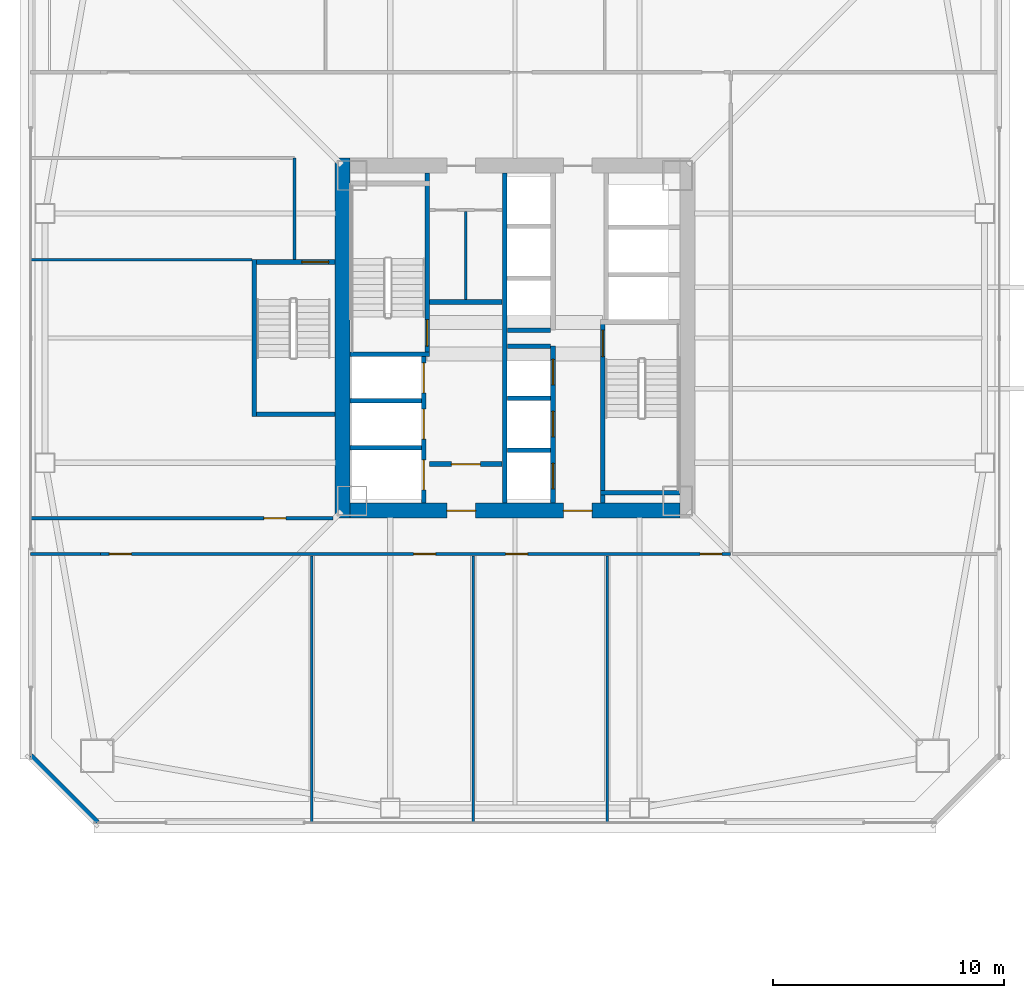
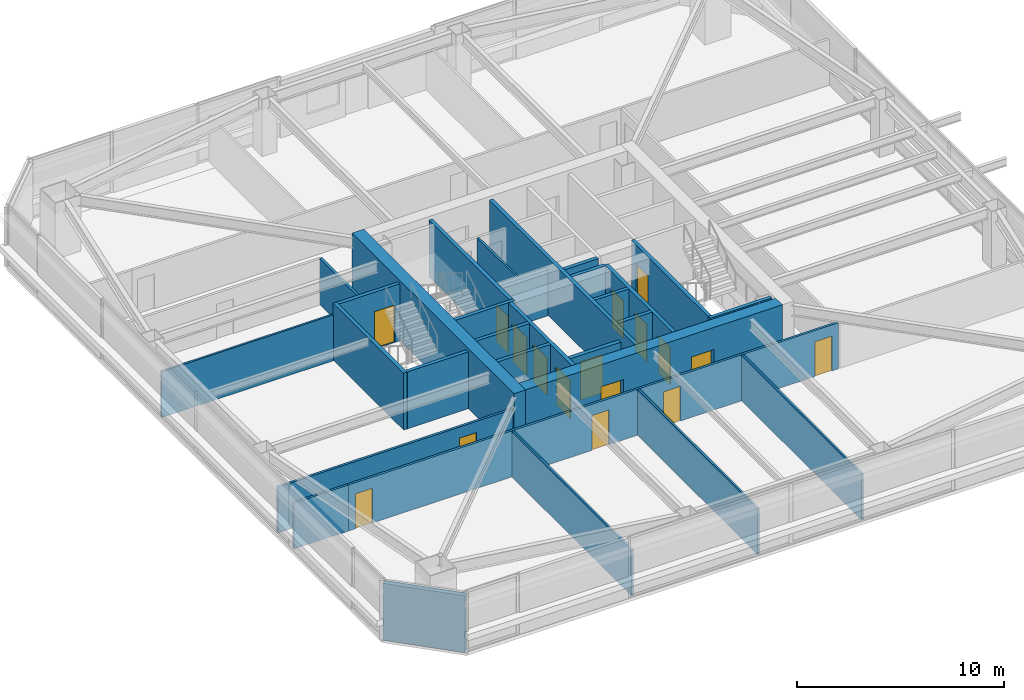
# One storey, part 36 of 47: 30 walls, 17 doors, 17 openings.
"""IFC4 building model written with IfcOpenShell, lengths in metres."""

import ifcopenshell
import ifcopenshell.guid

model = None  # the IFC model being written
_history = None  # IfcOwnerHistory: only IFC2X3 demands one
_inside = {}  # id of a spatial element -> (the spatial element, [elements in it])
_under = {}  # id of a project, library or spatial element -> (it, [spatial elements below it])
_declared = {}  # id of a project -> (the project, [libraries it declares])
_typed = {}  # id of a type object -> (the type object, [elements of that type])
_made_of = {}  # id of a material, layer set ... -> (it, [elements and type objects made of it])


def new_model(schema):
    """Start an empty IFC model of exactly this schema.

    Asked for "IFC4X3", IfcOpenShell would pick the latest addendum, in which some entities
    have other attributes; the version numbers below select the first issue.
    IFC2X3 requires an IfcOwnerHistory on every rooted entity: one is made here for all.
    """
    global model, _history
    if schema == "IFC4X3":
        model = ifcopenshell.file(schema_version=(4, 3, 0, 0))
    else:
        model = ifcopenshell.file(schema=schema)
    _inside.clear()
    _under.clear()
    _declared.clear()
    _typed.clear()
    _made_of.clear()
    _history = None
    if model.schema == "IFC2X3":
        org = make("IfcOrganization", Name="unknown")
        user = make(
            "IfcPersonAndOrganization",
            ThePerson=make("IfcPerson", FamilyName="unknown"),
            TheOrganization=org,
        )
        app = make(
            "IfcApplication",
            ApplicationDeveloper=org,
            Version="unknown",
            ApplicationFullName="unknown",
            ApplicationIdentifier="unknown",
        )
        _history = make(
            "IfcOwnerHistory",
            OwningUser=user,
            OwningApplication=app,
            ChangeAction="ADDED",
            CreationDate=0,
        )
    return model


def make(cls, **values):
    """One entity of the class cls with the attributes given. An attribute that is None is left unset."""
    return model.create_entity(
        cls, **{name: value for name, value in values.items() if value is not None}
    )


def rooted(cls, **values):
    """An entity with a GlobalId (a new one), such as an element, a storey or a relation."""
    return make(cls, GlobalId=ifcopenshell.guid.new(), OwnerHistory=_history, **values)


def si_unit(unit_type, name, prefix=None):
    """IfcSIUnit, for example si_unit("LENGTHUNIT", "METRE", prefix="MILLI")."""
    return make("IfcSIUnit", UnitType=unit_type, Prefix=prefix, Name=name)


def assignment(units):
    """IfcUnitAssignment: the units of a project."""
    return None if units is None else make("IfcUnitAssignment", Units=units)


def point(xyz):
    """IfcCartesianPoint."""
    return None if xyz is None else make("IfcCartesianPoint", Coordinates=xyz)


def direction(xyz):
    """IfcDirection."""
    return None if xyz is None else make("IfcDirection", DirectionRatios=xyz)


def frame(location, z_axis=None, x_axis=None):
    """IfcAxis2Placement3D, a coordinate frame: its origin and axes. An axis left out is left unset."""
    return make(
        "IfcAxis2Placement3D",
        Location=point(location),
        Axis=direction(z_axis),
        RefDirection=direction(x_axis),
    )


def frame_2d(location, x_axis=None):
    """IfcAxis2Placement2D, a coordinate frame in the plane: its origin and x axis."""
    return make(
        "IfcAxis2Placement2D", Location=point(location), RefDirection=direction(x_axis)
    )


def origin():
    """The frame at (0, 0, 0) with its axes left unset."""
    return frame((0.0, 0.0, 0.0))


def place(relative_to, where):
    """IfcLocalPlacement: puts the frame where relative to a parent placement (None: the world)."""
    return make(
        "IfcLocalPlacement", PlacementRelTo=relative_to, RelativePlacement=where
    )


def context(
    kind, dimensions, precision=None, world=None, true_north=None, identifier=None
):
    """IfcGeometricRepresentationContext, for example the 3D "Model" context."""
    return make(
        "IfcGeometricRepresentationContext",
        ContextIdentifier=identifier,
        ContextType=kind,
        CoordinateSpaceDimension=dimensions,
        Precision=precision,
        WorldCoordinateSystem=world,
        TrueNorth=true_north,
    )


def subcontext(parent, identifier, kind, view, scale=None):
    """IfcGeometricRepresentationSubContext, for example "Body" below "Model"."""
    return make(
        "IfcGeometricRepresentationSubContext",
        ContextIdentifier=identifier,
        ContextType=kind,
        ParentContext=parent,
        TargetScale=scale,
        TargetView=view,
    )


def project(units=None, contexts=None):
    """IfcProject with its units and contexts."""
    return rooted(
        "IfcProject",
        Name="project",
        RepresentationContexts=contexts,
        UnitsInContext=assignment(units),
    )


def spatial(cls, under=None, at=None, **own):
    """A site, building, storey or space (cls), placed at a placement, below another one or the project."""
    s = rooted(cls, ObjectPlacement=at, **own)
    if under is not None:
        _under.setdefault(under.id(), (under, []))[1].append(s)
    return s


def profile(cls, at=None, kind="AREA", **sizes):
    """A parametric profile (cls). Its sizes go by their IFC names, for example OverallWidth=200.0."""
    return make(cls, ProfileType=kind, Position=at, **sizes)


def rectangle(**sizes):
    """IfcRectangleProfileDef."""
    return profile("IfcRectangleProfileDef", **sizes)


def extrude(swept, where, along, depth):
    """IfcExtrudedAreaSolid: the profile swept, set in the frame where, extruded along a direction by depth."""
    return make(
        "IfcExtrudedAreaSolid",
        SweptArea=swept,
        Position=where,
        ExtrudedDirection=direction(along),
        Depth=depth,
    )


def shape(context_of_items, identifier, shape_type, items):
    """IfcShapeRepresentation: the items that make up one representation, for example the "Body"."""
    return make(
        "IfcShapeRepresentation",
        ContextOfItems=context_of_items,
        RepresentationIdentifier=identifier,
        RepresentationType=shape_type,
        Items=items,
    )


def material(Name=None, Category=None):
    """IfcMaterial."""
    return make("IfcMaterial", Name=Name, Category=Category)


def layer(
    of_material, thickness, ventilated=None, Name=None, Category=None, Priority=None
):
    """IfcMaterialLayer: one layer of a wall or slab, of a material (None: an air gap)."""
    return make(
        "IfcMaterialLayer",
        Material=of_material,
        LayerThickness=thickness,
        IsVentilated=ventilated,
        Name=Name,
        Category=Category,
        Priority=Priority,
    )


def layer_set(layers, Name=None):
    """IfcMaterialLayerSet."""
    return make("IfcMaterialLayerSet", MaterialLayers=layers, LayerSetName=Name)


def made_of(thing, what):
    """Note that an element or type object is made of a material, layer set ...; save() writes the relation."""
    if what is not None:
        _made_of.setdefault(what.id(), (what, []))[1].append(thing)
    return thing


def type_object(cls, material=None, **own):
    """A type object (cls), such as IfcWallType, which elements share."""
    return made_of(rooted(cls, **own), material)


def element(
    cls,
    number,
    at=None,
    inside=None,
    cuts=None,
    type_object=None,
    material=None,
    context=None,
    identifier="Body",
    shape_type=None,
    held_by="IfcProductDefinitionShape",
    body=None,
    shapes=None,
    **own,
):
    """One element of the class cls, such as IfcWall. Its Tag is "e" and its number.

    at: its placement. inside: the storey or other place that contains it. cuts: it is an
    opening in that element (IfcRelVoidsElement). A single representation is given by context,
    identifier, shape_type and body (its items); several are given by shapes. held_by: the class
    of the entity that holds the representations. save() writes the other relations.
    """
    e = rooted(cls, Tag="e%d" % number, ObjectPlacement=at, **own)
    if body is not None:
        shapes = [shape(context, identifier, shape_type, body)]
    if shapes is not None:
        e.Representation = make(held_by, Representations=shapes)
    if inside is not None:
        _inside.setdefault(inside.id(), (inside, []))[1].append(e)
    if cuts is not None:
        rooted(
            "IfcRelVoidsElement", RelatingBuildingElement=cuts, RelatedOpeningElement=e
        )
    if type_object is not None:
        _typed.setdefault(type_object.id(), (type_object, []))[1].append(e)
    return made_of(e, material)


def fill(opening, filler):
    """IfcRelFillsElement: the door or window that sits in an opening."""
    return rooted(
        "IfcRelFillsElement",
        RelatingOpeningElement=opening,
        RelatedBuildingElement=filler,
    )


def aggregate(whole, parts):
    """IfcRelAggregates: a whole, such as a stair, and the parts it consists of."""
    return rooted("IfcRelAggregates", RelatingObject=whole, RelatedObjects=parts)


def save(model, path):
    """Write the relations noted so far, then the file.

    IfcRelAggregates (storeys below a building ...), IfcRelContainedInSpatialStructure (elements
    in a storey), IfcRelDefinesByType, IfcRelAssociatesMaterial and IfcRelDeclares: one each for
    every whole, place, type object, material and project.
    """
    for whole, parts in _under.values():
        aggregate(whole, parts)
    for where, things in _inside.values():
        rooted(
            "IfcRelContainedInSpatialStructure",
            RelatedElements=things,
            RelatingStructure=where,
        )
    for kind, things in _typed.values():
        rooted("IfcRelDefinesByType", RelatedObjects=things, RelatingType=kind)
    for what, things in _made_of.values():
        rooted("IfcRelAssociatesMaterial", RelatedObjects=things, RelatingMaterial=what)
    for by, libraries in _declared.values():
        rooted("IfcRelDeclares", RelatingContext=by, RelatedDefinitions=libraries)
    model.write(path)


model = new_model("IFC4")

# Units and contexts
model_context = context("Model", 3, precision=1e-05, world=origin(), true_north=direction((0.0, 1.0)))
body_context = subcontext(model_context, "Body", "Model", "MODEL_VIEW")
ifc_project = project(units=[si_unit("LENGTHUNIT", "METRE"), si_unit("AREAUNIT", "SQUARE_METRE"), si_unit("VOLUMEUNIT", "CUBIC_METRE"), si_unit("PLANEANGLEUNIT", "RADIAN"), si_unit("MASSUNIT", "GRAM", prefix="KILO")], contexts=[model_context])

# Site, building, storey
site_placement = place(None, origin())
site = spatial("IfcSite", under=ifc_project, at=site_placement, CompositionType="ELEMENT")
building_placement = place(site_placement, origin())
building = spatial("IfcBuilding", under=site, at=building_placement, Name="Tashvorn Skyway Center", CompositionType="ELEMENT")
storey_placement = place(building_placement, frame((0.0, 0.0, 81.39990234375)))
storey = spatial("IfcBuildingStorey", under=building, at=storey_placement, Name="L21", CompositionType="ELEMENT", Elevation=81.39990234375)

# Wall
ifc_material_1 = material(Name="Concrete C60/75", Category="concrete")
ifc_layer_1 = layer(ifc_material_1, 0.64990234375)
ifc_layer_set_1 = layer_set([ifc_layer_1], Name="Concrete C60/75")
wall_type_1 = type_object("IfcWallType", Name="WALL-CORE-650", PredefinedType="SHEAR", material=ifc_layer_set_1)
wall_1_placement = place(storey_placement, frame((34.52490234375, 24.199951171875, 0.0), z_axis=(0.0, 0.0, 1.0), x_axis=(0.0, 1.0, 0.0)))
element("IfcWall", 1, at=wall_1_placement, inside=storey, type_object=wall_type_1, Name="Tower 1 L21 West Core Shear Wall", PredefinedType="SHEAR", context=body_context, shape_type="SweptSolid", body=[
    extrude(rectangle(XDim=15.60009765625, YDim=0.64990234375, at=frame_2d((7.800048828125, 0.0))), origin(), (0.0, 0.0, 1.0), 3.550048828125),
])

# Wall, openings, doors
wall_2_placement = place(storey_placement, frame((49.14990234375, 24.52490234375, 0.0), z_axis=(0.0, 0.0, 1.0), x_axis=(-1.0, 0.0, 0.0)))
wall_2 = element("IfcWall", 2, at=wall_2_placement, inside=storey, type_object=wall_type_1, Name="Tower 1 L21 South Core Shear Wall", PredefinedType="SHEAR", context=body_context, shape_type="SweptSolid", body=[
    extrude(rectangle(XDim=14.2998046875, YDim=0.64990234375, at=frame_2d((7.14990234375, 0.0))), origin(), (0.0, 0.0, 1.0), 3.550048828125),
])
opening_1_placement = place(wall_2_placement, frame((8.85009765625, 0.0, 0.0)))
opening_1 = element("IfcOpeningElement", 3, at=opening_1_placement, cuts=wall_2, Name="Opening D-FFL-1250", PredefinedType="OPENING", context=body_context, shape_type="SweptSolid", body=[
    extrude(rectangle(XDim=1.25, YDim=2.25, at=frame_2d((0.625, 1.125))), frame((0.0, 0.3349609375, 0.0), z_axis=(0.0, -1.0, 0.0), x_axis=(1.0, 0.0, 0.0)), (0.0, 0.0, 1.0), 0.669921875),
])
opening_2_placement = place(wall_2_placement, frame((3.800048828125, 0.0, 0.0)))
opening_2 = element("IfcOpeningElement", 4, at=opening_2_placement, cuts=wall_2, Name="Opening D-FFL-1250", PredefinedType="OPENING", context=body_context, shape_type="SweptSolid", body=[
    extrude(rectangle(XDim=1.25, YDim=2.25, at=frame_2d((0.625, 1.125))), frame((0.0, 0.3349609375, 0.0), z_axis=(0.0, -1.0, 0.0), x_axis=(1.0, 0.0, 0.0)), (0.0, 0.0, 1.0), 0.669921875),
])
ifc_material_2 = material(Name="Hollow galvanized steel fire door assembly", Category="steel")
door_type_1 = type_object("IfcDoorType", Name="DOOR-FFL-1250", OperationType="NOTDEFINED", PredefinedType="DOOR", material=ifc_material_2)
door_1_placement = place(opening_1_placement, origin())
door_1 = element("IfcDoor", 5, at=door_1_placement, inside=storey, type_object=door_type_1, Name="Tower 1 L21 Core South Firefighting Exit Door", OperationType="SINGLE_SWING_LEFT", OverallHeight=2.25, OverallWidth=1.25, PredefinedType="DOOR", context=body_context, shape_type="SweptSolid", body=[
    extrude(rectangle(XDim=1.25, YDim=2.25, at=frame_2d((0.625, 1.125))), frame((0.0, 0.02490234375, 0.0), z_axis=(0.0, -1.0, 0.0), x_axis=(1.0, 0.0, 0.0)), (0.0, 0.0, 1.0), 0.050048828125),
])
fill(opening_1, door_1)
door_2_placement = place(opening_2_placement, origin())
door_2 = element("IfcDoor", 6, at=door_2_placement, inside=storey, type_object=door_type_1, Name="Tower 1 L21 Core South Lift Lobby Door", OperationType="SINGLE_SWING_RIGHT", OverallHeight=2.25, OverallWidth=1.25, PredefinedType="DOOR", context=body_context, shape_type="SweptSolid", body=[
    extrude(rectangle(XDim=1.25, YDim=2.25, at=frame_2d((0.625, 1.125))), frame((0.0, 0.02490234375, 0.0), z_axis=(0.0, -1.0, 0.0), x_axis=(1.0, 0.0, 0.0)), (0.0, 0.0, 1.0), 0.050048828125),
])
fill(opening_2, door_2)

# Walls
ifc_material_3 = material(Name="Precast concrete C40/50", Category="concrete")
ifc_layer_2 = layer(ifc_material_3, 0.280029296875)
ifc_layer_set_2 = layer_set([ifc_layer_2], Name="Precast concrete C40/50")
wall_type_2 = type_object("IfcWallType", Name="WALL-EXT-280", PredefinedType="SOLIDWALL", material=ifc_layer_set_2)
wall_3_placement = place(storey_placement, frame((23.89990234375, 11.0, 0.0), z_axis=(0.0, 0.0, 1.0), x_axis=(-0.707106781187, 0.707106781187, 0.0)))
element("IfcWall", 7, at=wall_3_placement, inside=storey, type_object=wall_type_2, Name="Tower 1 L21 SW Precast Chamfer Wall", PredefinedType="SOLIDWALL", context=body_context, shape_type="SweptSolid", body=[
    extrude(rectangle(XDim=4.10107421875, YDim=0.280029296875, at=frame_2d((2.050537109375, 0.0))), origin(), (0.0, 0.0, 1.0), 3.35009765625),
])
ifc_material_4 = material(Name="Concrete C40/50", Category="concrete")
ifc_layer_3 = layer(ifc_material_4, 0.219970703125)
ifc_layer_set_3 = layer_set([ifc_layer_3], Name="Concrete C40/50")
wall_type_3 = type_object("IfcWallType", Name="WALL-FFL-220", PredefinedType="SOLIDWALL", material=ifc_layer_set_3)
wall_4_placement = place(storey_placement, frame((38.300048828125, 33.56005859375, 0.0), z_axis=(0.0, 0.0, 1.0), x_axis=(1.0, 0.0, 0.0)))
element("IfcWall", 8, at=wall_4_placement, inside=storey, type_object=wall_type_3, Name="Tower 1 L21 Firefighting Lobby North Wall", PredefinedType="SOLIDWALL", context=body_context, shape_type="SweptSolid", body=[
    extrude(rectangle(XDim=3.14990234375, YDim=0.219970703125, at=frame_2d((1.574951171875, 0.0))), origin(), (0.0, 0.0, 1.0), 2.703125),
])

# Wall, opening, door
wall_5_placement = place(storey_placement, frame((38.300048828125, 26.5400390625, 0.0), z_axis=(0.0, 0.0, 1.0), x_axis=(1.0, 0.0, 0.0)))
wall_5 = element("IfcWall", 9, at=wall_5_placement, inside=storey, type_object=wall_type_3, Name="Tower 1 L21 Firefighting Lobby South Wall", PredefinedType="SOLIDWALL", context=body_context, shape_type="SweptSolid", body=[
    extrude(rectangle(XDim=3.14990234375, YDim=0.219970703125, at=frame_2d((1.574951171875, 0.0))), origin(), (0.0, 0.0, 1.0), 2.703125),
])
opening_3_placement = place(wall_5_placement, frame((0.949951171875, 0.0, 0.0)))
opening_3 = element("IfcOpeningElement", 10, at=opening_3_placement, cuts=wall_5, Name="Opening D-FFL-1250", PredefinedType="OPENING", context=body_context, shape_type="SweptSolid", body=[
    extrude(rectangle(XDim=1.25, YDim=2.25, at=frame_2d((0.625, 1.125))), frame((0.0, 0.119873046875, 0.0), z_axis=(0.0, -1.0, 0.0), x_axis=(1.0, 0.0, 0.0)), (0.0, 0.0, 1.0), 0.239990234375),
])
door_3_placement = place(opening_3_placement, origin())
door_3 = element("IfcDoor", 11, at=door_3_placement, inside=storey, type_object=door_type_1, Name="Tower 1 L21 Firefighting Lobby Egress Door", OperationType="SINGLE_SWING_LEFT", OverallHeight=2.25, OverallWidth=1.25, PredefinedType="DOOR", context=body_context, shape_type="SweptSolid", body=[
    extrude(rectangle(XDim=1.25, YDim=2.25, at=frame_2d((0.625, 1.125))), frame((0.0, 0.02490234375, 0.0), z_axis=(0.0, -1.0, 0.0), x_axis=(1.0, 0.0, 0.0)), (0.0, 0.0, 1.0), 0.050048828125),
])
fill(opening_3, door_3)

# Walls
ifc_material_5 = material(Name="Gypsum board on cold-formed steel stud framing", Category="steel")
ifc_layer_4 = layer(ifc_material_5, 0.110107421875)
ifc_layer_set_4 = layer_set([ifc_layer_4], Name="Gypsum board on cold-formed steel stud framing")
wall_type_4 = type_object("IfcWallType", Name="WALL-PART-110", PredefinedType="PARTITIONING", material=ifc_layer_set_4)
for number, where, z_axis, x_axis, name in (
    (12, (33.199951171875, 11.02001953125, 0.0), (0.0, 0.0, 1.0), (0.0, 1.0, 0.0), "Tower 1 L21 South Suite Partition 1"),
    (13, (40.199951171875, 11.02001953125, 0.0), (0.0, 0.0, 1.0), (0.0, 1.0, 0.0), "Tower 1 L21 South Suite Partition 2"),
    (14, (46.0, 11.02001953125, 0.0), (0.0, 0.0, 1.0), (0.0, 1.0, 0.0), "Tower 1 L21 South Suite Partition 3"),
):
    element("IfcWall", number, at=place(storey_placement, frame(where, z_axis=z_axis, x_axis=x_axis)), inside=storey, type_object=wall_type_4, Name=name, PredefinedType="PARTITIONING", context=body_context, shape_type="SweptSolid", body=[
        extrude(rectangle(XDim=11.550048828125, YDim=0.110107421875, at=frame_2d((5.77490234375, 0.0))), origin(), (0.0, 0.0, 1.0), 2.703125),
    ])
wall_6_placement = place(storey_placement, frame((30.60009765625, 35.39990234375, 0.0), z_axis=(0.0, 0.0, 1.0), x_axis=(-1.0, 0.0, 0.0)))
element("IfcWall", 15, at=wall_6_placement, inside=storey, type_object=wall_type_4, Name="Tower 1 L21 West Suite Partition 1", PredefinedType="PARTITIONING", context=body_context, shape_type="SweptSolid", body=[
    extrude(rectangle(XDim=9.580078125, YDim=0.110107421875, at=frame_2d((4.7900390625, 0.0))), origin(), (0.0, 0.0, 1.0), 2.703125),
])
ifc_layer_5 = layer(ifc_material_5, 0.135009765625)
ifc_layer_set_5 = layer_set([ifc_layer_5], Name="Gypsum board on cold-formed steel stud framing")
wall_type_5 = type_object("IfcWallType", Name="WALL-PART-135", PredefinedType="PARTITIONING", material=ifc_layer_set_5)
wall_7_placement = place(storey_placement, frame((32.449951171875, 35.39990234375, 0.0), z_axis=(0.0, 0.0, 1.0), x_axis=(0.0, 1.0, 0.0)))
element("IfcWall", 16, at=wall_7_placement, inside=storey, type_object=wall_type_5, Name="Tower 1 L21 Stair 3 Access Corridor Wall", PredefinedType="PARTITIONING", context=body_context, shape_type="SweptSolid", body=[
    extrude(rectangle(XDim=4.400146484375, YDim=0.135009765625, at=frame_2d((2.2001953125, 0.0))), origin(), (0.0, 0.0, 1.0), 2.703125),
])

# Wall, openings, doors
wall_8_placement = place(storey_placement, frame((51.35009765625, 22.64990234375, 0.0), z_axis=(0.0, 0.0, 1.0), x_axis=(-1.0, 0.0, 0.0)))
wall_8 = element("IfcWall", 17, at=wall_8_placement, inside=storey, type_object=wall_type_5, Name="Tower 1 L21 South Suite Wall", PredefinedType="PARTITIONING", context=body_context, shape_type="SweptSolid", body=[
    extrude(rectangle(XDim=27.300048828125, YDim=0.135009765625, at=frame_2d((13.64990234375, 0.0))), origin(), (0.0, 0.0, 1.0), 2.703125),
])
opening_4_placement = place(wall_8_placement, frame((25.969970703125, 0.0, 0.0)))
opening_4 = element("IfcOpeningElement", 18, at=opening_4_placement, cuts=wall_8, Name="Opening D-INT-950", PredefinedType="OPENING", context=body_context, shape_type="SweptSolid", body=[
    extrude(rectangle(XDim=0.949951171875, YDim=2.050048828125, at=frame_2d((0.47509765625, 1.02490234375))), frame((0.0, 0.077392578125, 0.0), z_axis=(0.0, -1.0, 0.0), x_axis=(1.0, 0.0, 0.0)), (0.0, 0.0, 1.0), 0.155029296875),
])
opening_5_placement = place(wall_8_placement, frame((12.78955078125, 0.0, 0.0)))
opening_5 = element("IfcOpeningElement", 19, at=opening_5_placement, cuts=wall_8, Name="Opening D-INT-950", PredefinedType="OPENING", context=body_context, shape_type="SweptSolid", body=[
    extrude(rectangle(XDim=0.949951171875, YDim=2.050048828125, at=frame_2d((0.47509765625, 1.02490234375))), frame((0.0, 0.077392578125, 0.0), z_axis=(0.0, -1.0, 0.0), x_axis=(1.0, 0.0, 0.0)), (0.0, 0.0, 1.0), 0.155029296875),
])
opening_6_placement = place(wall_8_placement, frame((8.797607421875, 0.0, 0.0)))
opening_6 = element("IfcOpeningElement", 20, at=opening_6_placement, cuts=wall_8, Name="Opening D-INT-950", PredefinedType="OPENING", context=body_context, shape_type="SweptSolid", body=[
    extrude(rectangle(XDim=0.949951171875, YDim=2.050048828125, at=frame_2d((0.47509765625, 1.02490234375))), frame((0.0, 0.077392578125, 0.0), z_axis=(0.0, -1.0, 0.0), x_axis=(1.0, 0.0, 0.0)), (0.0, 0.0, 1.0), 0.155029296875),
])
opening_7_placement = place(wall_8_placement, frame((0.3798828125, 0.0, 0.0)))
opening_7 = element("IfcOpeningElement", 21, at=opening_7_placement, cuts=wall_8, Name="Opening D-INT-950", PredefinedType="OPENING", context=body_context, shape_type="SweptSolid", body=[
    extrude(rectangle(XDim=0.949951171875, YDim=2.050048828125, at=frame_2d((0.47509765625, 1.02490234375))), frame((0.0, 0.077392578125, 0.0), z_axis=(0.0, -1.0, 0.0), x_axis=(1.0, 0.0, 0.0)), (0.0, 0.0, 1.0), 0.155029296875),
])
ifc_material_6 = material(Name="Solid-core architectural oak veneer door")
door_type_2 = type_object("IfcDoorType", Name="DOOR-INT-950", OperationType="NOTDEFINED", PredefinedType="DOOR", material=ifc_material_6)
door_4_placement = place(opening_4_placement, origin())
door_4 = element("IfcDoor", 22, at=door_4_placement, inside=storey, type_object=door_type_2, Name="Tower 1 L21 Executive Suite Door", OperationType="SINGLE_SWING_LEFT", OverallHeight=2.050048828125, OverallWidth=0.949951171875, PredefinedType="DOOR", context=body_context, shape_type="SweptSolid", body=[
    extrude(rectangle(XDim=0.949951171875, YDim=2.050048828125, at=frame_2d((0.47509765625, 1.02490234375))), frame((0.0, 0.02490234375, 0.0), z_axis=(0.0, -1.0, 0.0), x_axis=(1.0, 0.0, 0.0)), (0.0, 0.0, 1.0), 0.050048828125),
])
fill(opening_4, door_4)
door_5_placement = place(opening_5_placement, origin())
door_5 = element("IfcDoor", 23, at=door_5_placement, inside=storey, type_object=door_type_2, Name="Tower 1 L21 Catering Pantry Door", OperationType="SINGLE_SWING_RIGHT", OverallHeight=2.050048828125, OverallWidth=0.949951171875, PredefinedType="DOOR", context=body_context, shape_type="SweptSolid", body=[
    extrude(rectangle(XDim=0.949951171875, YDim=2.050048828125, at=frame_2d((0.47509765625, 1.02490234375))), frame((0.0, 0.02490234375, 0.0), z_axis=(0.0, -1.0, 0.0), x_axis=(1.0, 0.0, 0.0)), (0.0, 0.0, 1.0), 0.050048828125),
])
fill(opening_5, door_5)
door_6_placement = place(opening_6_placement, origin())
door_6 = element("IfcDoor", 24, at=door_6_placement, inside=storey, type_object=door_type_2, Name="Tower 1 L21 Catering Pantry Door", OperationType="SINGLE_SWING_LEFT", OverallHeight=2.050048828125, OverallWidth=0.949951171875, PredefinedType="DOOR", context=body_context, shape_type="SweptSolid", body=[
    extrude(rectangle(XDim=0.949951171875, YDim=2.050048828125, at=frame_2d((0.47509765625, 1.02490234375))), frame((0.0, 0.02490234375, 0.0), z_axis=(0.0, -1.0, 0.0), x_axis=(1.0, 0.0, 0.0)), (0.0, 0.0, 1.0), 0.050048828125),
])
fill(opening_6, door_6)
door_7_placement = place(opening_7_placement, origin())
door_7 = element("IfcDoor", 25, at=door_7_placement, inside=storey, type_object=door_type_2, Name="Tower 1 L21 Security Control Room Door", OperationType="SINGLE_SWING_RIGHT", OverallHeight=2.050048828125, OverallWidth=0.949951171875, PredefinedType="DOOR", context=body_context, shape_type="SweptSolid", body=[
    extrude(rectangle(XDim=0.949951171875, YDim=2.050048828125, at=frame_2d((0.47509765625, 1.02490234375))), frame((0.0, 0.02490234375, 0.0), z_axis=(0.0, -1.0, 0.0), x_axis=(1.0, 0.0, 0.0)), (0.0, 0.0, 1.0), 0.050048828125),
])
fill(opening_7, door_7)

# Wall
wall_9_placement = place(storey_placement, frame((21.02001953125, 22.64990234375, 0.0), z_axis=(0.0, 0.0, 1.0), x_axis=(1.0, 0.0, 0.0)))
element("IfcWall", 26, at=wall_9_placement, inside=storey, type_object=wall_type_5, Name="Tower 1 L21 South-West Suite North Wall", PredefinedType="PARTITIONING", context=body_context, shape_type="SweptSolid", body=[
    extrude(rectangle(XDim=3.030029296875, YDim=0.135009765625, at=frame_2d((1.51513671875, 0.0))), origin(), (0.0, 0.0, 1.0), 2.703125),
])

# Wall, opening, door
wall_10_placement = place(storey_placement, frame((21.02001953125, 24.199951171875, 0.0), z_axis=(0.0, 0.0, 1.0), x_axis=(1.0, 0.0, 0.0)))
wall_10 = element("IfcWall", 27, at=wall_10_placement, inside=storey, type_object=wall_type_5, Name="Tower 1 L21 West Suite South Wall", PredefinedType="PARTITIONING", context=body_context, shape_type="SweptSolid", body=[
    extrude(rectangle(XDim=13.10009765625, YDim=0.135009765625, at=frame_2d((6.550048828125, 0.0))), origin(), (0.0, 0.0, 1.0), 2.703125),
])
opening_8_placement = place(wall_10_placement, frame((10.10498046875, 0.0, 0.0)))
opening_8 = element("IfcOpeningElement", 28, at=opening_8_placement, cuts=wall_10, Name="Opening D-INT-950", PredefinedType="OPENING", context=body_context, shape_type="SweptSolid", body=[
    extrude(rectangle(XDim=0.949951171875, YDim=2.050048828125, at=frame_2d((0.47509765625, 1.02490234375))), frame((0.0, 0.077392578125, 0.0), z_axis=(0.0, -1.0, 0.0), x_axis=(1.0, 0.0, 0.0)), (0.0, 0.0, 1.0), 0.155029296875),
])
door_8_placement = place(opening_8_placement, origin())
door_8 = element("IfcDoor", 29, at=door_8_placement, inside=storey, type_object=door_type_2, Name="Tower 1 L21 Public Restroom Door", OperationType="SINGLE_SWING_LEFT", OverallHeight=2.050048828125, OverallWidth=0.949951171875, PredefinedType="DOOR", context=body_context, shape_type="SweptSolid", body=[
    extrude(rectangle(XDim=0.949951171875, YDim=2.050048828125, at=frame_2d((0.47509765625, 1.02490234375))), frame((0.0, 0.02490234375, 0.0), z_axis=(0.0, -1.0, 0.0), x_axis=(1.0, 0.0, 0.0)), (0.0, 0.0, 1.0), 0.050048828125),
])
fill(opening_8, door_8)

# Walls
ifc_layer_6 = layer(ifc_material_5, 0.110107421875)
ifc_layer_set_6 = layer_set([ifc_layer_6], Name="Gypsum board on cold-formed steel stud framing")
wall_type_6 = type_object("IfcWallType", Name="WALL-RATED-110", PredefinedType="PARTITIONING", material=ifc_layer_set_6)
wall_11_placement = place(storey_placement, frame((39.8798828125, 33.679931640625, 0.0), z_axis=(0.0, 0.0, 1.0), x_axis=(0.0, 1.0, 0.0)))
element("IfcWall", 30, at=wall_11_placement, inside=storey, type_object=wall_type_6, Name="Tower 1 L21 Core Split Partition", PredefinedType="PARTITIONING", context=body_context, shape_type="SweptSolid", body=[
    extrude(rectangle(XDim=3.800048828125, YDim=0.110107421875, at=frame_2d((1.89990234375, 0.0))), origin(), (0.0, 0.0, 1.0), 2.703125),
])
ifc_layer_7 = layer(ifc_material_4, 0.199951171875)
ifc_layer_set_7 = layer_set([ifc_layer_7], Name="Concrete C40/50")
wall_type_7 = type_object("IfcWallType", Name="WALL-SHAFT-200", PredefinedType="SOLIDWALL", material=ifc_layer_set_7)
for number, where, z_axis, x_axis, name in (
    (31, (34.85009765625, 27.25, 0.0), (0.0, 0.0, 1.0), (1.0, 0.0, 0.0), "Tower 1 L21 FSAE Shaft Divider"),
    (32, (34.85009765625, 29.280029296875, 0.0), (0.0, 0.0, 1.0), (1.0, 0.0, 0.0), "Tower 1 L21 FSAE Shaft Divider"),
):
    element("IfcWall", number, at=place(storey_placement, frame(where, z_axis=z_axis, x_axis=x_axis)), inside=storey, type_object=wall_type_7, Name=name, PredefinedType="SOLIDWALL", context=body_context, shape_type="SweptSolid", body=[
        extrude(rectangle(XDim=3.099853515625, YDim=0.199951171875, at=frame_2d((1.5498046875, 0.0))), origin(), (0.0, 0.0, 1.0), 3.35009765625),
    ])

# Wall, openings, doors
wall_12_placement = place(storey_placement, frame((43.64990234375, 24.85009765625, 0.0), z_axis=(0.0, 0.0, 1.0), x_axis=(0.0, 1.0, 0.0)))
wall_12 = element("IfcWall", 33, at=wall_12_placement, inside=storey, type_object=wall_type_7, Name="Tower 1 L21 Low-Rise Core Wall", PredefinedType="SOLIDWALL", context=body_context, shape_type="SweptSolid", body=[
    extrude(rectangle(XDim=6.7998046875, YDim=0.199951171875, at=frame_2d((3.39990234375, 0.0))), origin(), (0.0, 0.0, 1.0), 3.35009765625),
])
opening_9_placement = place(wall_12_placement, frame((0.625, 0.0, 0.0)))
opening_9 = element("IfcOpeningElement", 34, at=opening_9_placement, cuts=wall_12, Name="Opening LD-LR-T1-1-L21", PredefinedType="OPENING", context=body_context, shape_type="SweptSolid", body=[
    extrude(rectangle(XDim=1.10009765625, YDim=2.199951171875, at=frame_2d((0.550048828125, 1.10009765625))), frame((0.0, 0.10986328125, 0.0), z_axis=(0.0, -1.0, 0.0), x_axis=(1.0, 0.0, 0.0)), (0.0, 0.0, 1.0), 0.219970703125),
])
opening_10_placement = place(wall_12_placement, frame((2.875, 0.0, 0.0)))
opening_10 = element("IfcOpeningElement", 35, at=opening_10_placement, cuts=wall_12, Name="Opening LD-LR-T1-2-L21", PredefinedType="OPENING", context=body_context, shape_type="SweptSolid", body=[
    extrude(rectangle(XDim=1.10009765625, YDim=2.199951171875, at=frame_2d((0.550048828125, 1.10009765625))), frame((0.0, 0.10986328125, 0.0), z_axis=(0.0, -1.0, 0.0), x_axis=(1.0, 0.0, 0.0)), (0.0, 0.0, 1.0), 0.219970703125),
])
opening_11_placement = place(wall_12_placement, frame((5.125, 0.0, 0.0)))
opening_11 = element("IfcOpeningElement", 36, at=opening_11_placement, cuts=wall_12, Name="Opening LD-LR-T1-3-L21", PredefinedType="OPENING", context=body_context, shape_type="SweptSolid", body=[
    extrude(rectangle(XDim=1.10009765625, YDim=2.199951171875, at=frame_2d((0.550048828125, 1.10009765625))), frame((0.0, 0.10986328125, 0.0), z_axis=(0.0, -1.0, 0.0), x_axis=(1.0, 0.0, 0.0)), (0.0, 0.0, 1.0), 0.219970703125),
])
ifc_material_7 = material(Name="Stainless steel landing door", Category="steel")
door_type_3 = type_object("IfcDoorType", Name="DOOR-LIFT-1100", OperationType="SLIDING_TO_LEFT", PredefinedType="DOOR", material=ifc_material_7)
door_9_placement = place(opening_9_placement, origin())
door_9 = element("IfcDoor", 37, at=door_9_placement, inside=storey, type_object=door_type_3, Name="Lift LR-T1-1 L21 Landing Door", OperationType="SLIDING_TO_LEFT", OverallHeight=2.199951171875, OverallWidth=1.10009765625, PredefinedType="DOOR", context=body_context, shape_type="SweptSolid", body=[
    extrude(rectangle(XDim=1.10009765625, YDim=2.199951171875, at=frame_2d((0.550048828125, 1.10009765625))), frame((0.0, 0.02490234375, 0.0), z_axis=(0.0, -1.0, 0.0), x_axis=(1.0, 0.0, 0.0)), (0.0, 0.0, 1.0), 0.050048828125),
])
fill(opening_9, door_9)
door_10_placement = place(opening_10_placement, origin())
door_10 = element("IfcDoor", 38, at=door_10_placement, inside=storey, type_object=door_type_3, Name="Lift LR-T1-2 L21 Landing Door", OperationType="SLIDING_TO_LEFT", OverallHeight=2.199951171875, OverallWidth=1.10009765625, PredefinedType="DOOR", context=body_context, shape_type="SweptSolid", body=[
    extrude(rectangle(XDim=1.10009765625, YDim=2.199951171875, at=frame_2d((0.550048828125, 1.10009765625))), frame((0.0, 0.02490234375, 0.0), z_axis=(0.0, -1.0, 0.0), x_axis=(1.0, 0.0, 0.0)), (0.0, 0.0, 1.0), 0.050048828125),
])
fill(opening_10, door_10)
door_11_placement = place(opening_11_placement, origin())
door_11 = element("IfcDoor", 39, at=door_11_placement, inside=storey, type_object=door_type_3, Name="Lift LR-T1-3 L21 Landing Door", OperationType="SLIDING_TO_LEFT", OverallHeight=2.199951171875, OverallWidth=1.10009765625, PredefinedType="DOOR", context=body_context, shape_type="SweptSolid", body=[
    extrude(rectangle(XDim=1.10009765625, YDim=2.199951171875, at=frame_2d((0.550048828125, 1.10009765625))), frame((0.0, 0.02490234375, 0.0), z_axis=(0.0, -1.0, 0.0), x_axis=(1.0, 0.0, 0.0)), (0.0, 0.0, 1.0), 0.050048828125),
])
fill(opening_11, door_11)

# Walls
for number, where, z_axis, x_axis, name in (
    (40, (41.669921875, 27.14990234375, 0.0), (0.0, 0.0, 1.0), (1.0, 0.0, 0.0), "Tower 1 L21 Low-Rise Shaft Divider"),
    (41, (41.669921875, 29.39990234375, 0.0), (0.0, 0.0, 1.0), (1.0, 0.0, 0.0), "Tower 1 L21 Low-Rise Shaft Divider"),
    (42, (41.669921875, 31.64990234375, 0.0), (0.0, 0.0, 1.0), (1.0, 0.0, 0.0), "Tower 1 L21 Low-Rise Shaft Divider"),
    (43, (41.669921875, 32.35009765625, 0.0), (0.0, 0.0, 1.0), (1.0, 0.0, 0.0), "Tower 1 L21 Mid-Rise Shaft Divider"),
):
    element("IfcWall", number, at=place(storey_placement, frame(where, z_axis=z_axis, x_axis=x_axis)), inside=storey, type_object=wall_type_7, Name=name, PredefinedType="SOLIDWALL", context=body_context, shape_type="SweptSolid", body=[
        extrude(rectangle(XDim=1.880126953125, YDim=0.199951171875, at=frame_2d((0.93994140625, 0.0))), origin(), (0.0, 0.0, 1.0), 3.35009765625),
    ])

# Wall, opening, door
ifc_layer_8 = layer(ifc_material_4, 0.199951171875)
ifc_layer_set_8 = layer_set([ifc_layer_8], Name="Concrete C40/50")
wall_type_8 = type_object("IfcWallType", Name="WALL-STSHF-200", PredefinedType="SHEAR", material=ifc_layer_set_8)
wall_13_placement = place(storey_placement, frame((38.199951171875, 31.199951171875, 0.0), z_axis=(0.0, 0.0, 1.0), x_axis=(0.0, 1.0, 0.0)))
wall_13 = element("IfcWall", 44, at=wall_13_placement, inside=storey, type_object=wall_type_8, Name="Tower 1 L21 Stair 1 Enclosure Wall", PredefinedType="SHEAR", context=body_context, shape_type="SweptSolid", body=[
    extrude(rectangle(XDim=7.949951171875, YDim=0.199951171875, at=frame_2d((3.97509765625, 0.0))), origin(), (0.0, 0.0, 1.0), 3.35009765625),
])
opening_12_placement = place(wall_13_placement, frame((0.449951171875, 0.0, 0.0)))
opening_12 = element("IfcOpeningElement", 45, at=opening_12_placement, cuts=wall_13, Name="Opening D-ST-1150", PredefinedType="OPENING", context=body_context, shape_type="SweptSolid", body=[
    extrude(rectangle(XDim=1.14990234375, YDim=2.199951171875, at=frame_2d((0.574951171875, 1.10009765625))), frame((0.0, 0.10986328125, 0.0), z_axis=(0.0, -1.0, 0.0), x_axis=(1.0, 0.0, 0.0)), (0.0, 0.0, 1.0), 0.219970703125),
])
door_type_4 = type_object("IfcDoorType", Name="DOOR-STAIR-1150", OperationType="NOTDEFINED", PredefinedType="DOOR", material=ifc_material_2)
door_12_placement = place(opening_12_placement, origin())
door_12 = element("IfcDoor", 46, at=door_12_placement, inside=storey, type_object=door_type_4, Name="Tower 1 L21 Exit Stair 1 Door", OperationType="SINGLE_SWING_RIGHT", OverallHeight=2.199951171875, OverallWidth=1.14990234375, PredefinedType="DOOR", context=body_context, shape_type="SweptSolid", body=[
    extrude(rectangle(XDim=1.14990234375, YDim=2.199951171875, at=frame_2d((0.574951171875, 1.10009765625))), frame((0.0, 0.02490234375, 0.0), z_axis=(0.0, -1.0, 0.0), x_axis=(1.0, 0.0, 0.0)), (0.0, 0.0, 1.0), 0.050048828125),
])
fill(opening_12, door_12)

# Wall
wall_14_placement = place(storey_placement, frame((34.85009765625, 31.300048828125, 0.0), z_axis=(0.0, 0.0, 1.0), x_axis=(1.0, 0.0, 0.0)))
element("IfcWall", 47, at=wall_14_placement, inside=storey, type_object=wall_type_8, Name="Tower 1 L21 Stair 1 South Wall", PredefinedType="SHEAR", context=body_context, shape_type="SweptSolid", body=[
    extrude(rectangle(XDim=3.449951171875, YDim=0.199951171875, at=frame_2d((1.72509765625, 0.0))), origin(), (0.0, 0.0, 1.0), 3.35009765625),
])

# Wall, opening, door
wall_15_placement = place(storey_placement, frame((45.800048828125, 32.800048828125, 0.0), z_axis=(0.0, 0.0, 1.0), x_axis=(0.0, -1.0, 0.0)))
wall_15 = element("IfcWall", 48, at=wall_15_placement, inside=storey, type_object=wall_type_8, Name="Tower 1 L21 Stair 2 Enclosure Wall", PredefinedType="SHEAR", context=body_context, shape_type="SweptSolid", body=[
    extrude(rectangle(XDim=7.949951171875, YDim=0.199951171875, at=frame_2d((3.97509765625, 0.0))), origin(), (0.0, 0.0, 1.0), 3.35009765625),
])
opening_13_placement = place(wall_15_placement, frame((0.449951171875, 0.0, 0.0)))
opening_13 = element("IfcOpeningElement", 49, at=opening_13_placement, cuts=wall_15, Name="Opening D-ST-1150", PredefinedType="OPENING", context=body_context, shape_type="SweptSolid", body=[
    extrude(rectangle(XDim=1.14990234375, YDim=2.199951171875, at=frame_2d((0.574951171875, 1.10009765625))), frame((0.0, 0.10986328125, 0.0), z_axis=(0.0, -1.0, 0.0), x_axis=(1.0, 0.0, 0.0)), (0.0, 0.0, 1.0), 0.219970703125),
])
door_13_placement = place(opening_13_placement, origin())
door_13 = element("IfcDoor", 50, at=door_13_placement, inside=storey, type_object=door_type_4, Name="Tower 1 L21 Exit Stair 2 Door", OperationType="SINGLE_SWING_RIGHT", OverallHeight=2.199951171875, OverallWidth=1.14990234375, PredefinedType="DOOR", context=body_context, shape_type="SweptSolid", body=[
    extrude(rectangle(XDim=1.14990234375, YDim=2.199951171875, at=frame_2d((0.574951171875, 1.10009765625))), frame((0.0, 0.02490234375, 0.0), z_axis=(0.0, -1.0, 0.0), x_axis=(1.0, 0.0, 0.0)), (0.0, 0.0, 1.0), 0.050048828125),
])
fill(opening_13, door_13)

# Walls
wall_16_placement = place(storey_placement, frame((45.699951171875, 25.300048828125, 0.0), z_axis=(0.0, 0.0, 1.0), x_axis=(1.0, 0.0, 0.0)))
element("IfcWall", 51, at=wall_16_placement, inside=storey, type_object=wall_type_8, Name="Tower 1 L21 Stair 2 South Wall", PredefinedType="SHEAR", context=body_context, shape_type="SweptSolid", body=[
    extrude(rectangle(XDim=3.449951171875, YDim=0.199951171875, at=frame_2d((1.72509765625, 0.0))), origin(), (0.0, 0.0, 1.0), 3.35009765625),
])
wall_17_placement = place(storey_placement, frame((41.56005859375, 24.85009765625, 0.0), z_axis=(0.0, 0.0, 1.0), x_axis=(0.0, 1.0, 0.0)))
element("IfcWall", 52, at=wall_17_placement, inside=storey, type_object=wall_type_8, Name="Tower 1 L21 Firefighting Lobby East Smoke Barrier", PredefinedType="SHEAR", context=body_context, shape_type="SweptSolid", body=[
    extrude(rectangle(XDim=14.2998046875, YDim=0.199951171875, at=frame_2d((7.14990234375, 0.0))), origin(), (0.0, 0.0, 1.0), 3.35009765625),
])

# Wall, openings, doors
wall_18_placement = place(storey_placement, frame((38.050048828125, 24.85009765625, 0.0), z_axis=(0.0, 0.0, 1.0), x_axis=(0.0, 1.0, 0.0)))
wall_18 = element("IfcWall", 53, at=wall_18_placement, inside=storey, type_object=wall_type_8, Name="Tower 1 L21 FSAE and Goods Shaft Front Wall", PredefinedType="SHEAR", context=body_context, shape_type="SweptSolid", body=[
    extrude(rectangle(XDim=6.349853515625, YDim=0.199951171875, at=frame_2d((3.1748046875, 0.0))), origin(), (0.0, 0.0, 1.0), 3.35009765625),
])
opening_14_placement = place(wall_18_placement, frame((4.77490234375, 0.0, 0.0)))
opening_14 = element("IfcOpeningElement", 54, at=opening_14_placement, cuts=wall_18, Name="Opening LD-FF-T1-1-L21", PredefinedType="OPENING", context=body_context, shape_type="SweptSolid", body=[
    extrude(rectangle(XDim=1.300048828125, YDim=2.25, at=frame_2d((0.64990234375, 1.125))), frame((0.0, 0.10986328125, 0.0), z_axis=(0.0, -1.0, 0.0), x_axis=(1.0, 0.0, 0.0)), (0.0, 0.0, 1.0), 0.219970703125),
])
opening_15_placement = place(wall_18_placement, frame((2.77490234375, 0.0, 0.0)))
opening_15 = element("IfcOpeningElement", 55, at=opening_15_placement, cuts=wall_18, Name="Opening LD-FF-T1-2-L21", PredefinedType="OPENING", context=body_context, shape_type="SweptSolid", body=[
    extrude(rectangle(XDim=1.300048828125, YDim=2.25, at=frame_2d((0.64990234375, 1.125))), frame((0.0, 0.10986328125, 0.0), z_axis=(0.0, -1.0, 0.0), x_axis=(1.0, 0.0, 0.0)), (0.0, 0.0, 1.0), 0.219970703125),
])
opening_16_placement = place(wall_18_placement, frame((0.574951171875, 0.0, 0.0)))
opening_16 = element("IfcOpeningElement", 56, at=opening_16_placement, cuts=wall_18, Name="Opening LD-GD-T1-1-L21", PredefinedType="OPENING", context=body_context, shape_type="SweptSolid", body=[
    extrude(rectangle(XDim=1.300048828125, YDim=2.25, at=frame_2d((0.64990234375, 1.125))), frame((0.0, 0.10986328125, 0.0), z_axis=(0.0, -1.0, 0.0), x_axis=(1.0, 0.0, 0.0)), (0.0, 0.0, 1.0), 0.219970703125),
])
ifc_material_8 = material(Name="Stainless steel heavy-duty landing door", Category="steel")
door_type_5 = type_object("IfcDoorType", Name="DOOR-LIFT-1300", OperationType="SLIDING_TO_LEFT", PredefinedType="DOOR", material=ifc_material_8)
door_14_placement = place(opening_14_placement, origin())
door_14 = element("IfcDoor", 57, at=door_14_placement, inside=storey, type_object=door_type_5, Name="Lift FF-T1-1 L21 Landing Door", OperationType="SLIDING_TO_LEFT", OverallHeight=2.25, OverallWidth=1.300048828125, PredefinedType="DOOR", context=body_context, shape_type="SweptSolid", body=[
    extrude(rectangle(XDim=1.300048828125, YDim=2.25, at=frame_2d((0.64990234375, 1.125))), frame((0.0, 0.02490234375, 0.0), z_axis=(0.0, -1.0, 0.0), x_axis=(1.0, 0.0, 0.0)), (0.0, 0.0, 1.0), 0.050048828125),
])
fill(opening_14, door_14)
door_15_placement = place(opening_15_placement, origin())
door_15 = element("IfcDoor", 58, at=door_15_placement, inside=storey, type_object=door_type_5, Name="Lift FF-T1-2 L21 Landing Door", OperationType="SLIDING_TO_LEFT", OverallHeight=2.25, OverallWidth=1.300048828125, PredefinedType="DOOR", context=body_context, shape_type="SweptSolid", body=[
    extrude(rectangle(XDim=1.300048828125, YDim=2.25, at=frame_2d((0.64990234375, 1.125))), frame((0.0, 0.02490234375, 0.0), z_axis=(0.0, -1.0, 0.0), x_axis=(1.0, 0.0, 0.0)), (0.0, 0.0, 1.0), 0.050048828125),
])
fill(opening_15, door_15)
door_16_placement = place(opening_16_placement, origin())
door_16 = element("IfcDoor", 59, at=door_16_placement, inside=storey, type_object=door_type_5, Name="Lift GD-T1-1 L21 Landing Door", OperationType="SLIDING_TO_LEFT", OverallHeight=2.25, OverallWidth=1.300048828125, PredefinedType="DOOR", context=body_context, shape_type="SweptSolid", body=[
    extrude(rectangle(XDim=1.300048828125, YDim=2.25, at=frame_2d((0.64990234375, 1.125))), frame((0.0, 0.02490234375, 0.0), z_axis=(0.0, -1.0, 0.0), x_axis=(1.0, 0.0, 0.0)), (0.0, 0.0, 1.0), 0.050048828125),
])
fill(opening_16, door_16)

# Wall
wall_19_placement = place(storey_placement, frame((30.699951171875, 28.60009765625, 0.0), z_axis=(0.0, 0.0, 1.0), x_axis=(0.0, 1.0, 0.0)))
element("IfcWall", 60, at=wall_19_placement, inside=storey, type_object=wall_type_8, Name="Tower 1 L21 Stair 3 Outer Wall", PredefinedType="SHEAR", context=body_context, shape_type="SweptSolid", body=[
    extrude(rectangle(XDim=6.7998046875, YDim=0.199951171875, at=frame_2d((3.39990234375, 0.0))), origin(), (0.0, 0.0, 1.0), 3.35009765625),
])

# Wall, opening, door
wall_20_placement = place(storey_placement, frame((34.199951171875, 35.300048828125, 0.0), z_axis=(0.0, 0.0, 1.0), x_axis=(-1.0, 0.0, 0.0)))
wall_20 = element("IfcWall", 61, at=wall_20_placement, inside=storey, type_object=wall_type_8, Name="Tower 1 L21 Stair 3 Enclosure Wall", PredefinedType="SHEAR", context=body_context, shape_type="SweptSolid", body=[
    extrude(rectangle(XDim=3.39990234375, YDim=0.199951171875, at=frame_2d((1.699951171875, 0.0))), origin(), (0.0, 0.0, 1.0), 3.35009765625),
])
opening_17_placement = place(wall_20_placement, frame((0.27490234375, 0.0, 0.0)))
opening_17 = element("IfcOpeningElement", 62, at=opening_17_placement, cuts=wall_20, Name="Opening D-ST-1150", PredefinedType="OPENING", context=body_context, shape_type="SweptSolid", body=[
    extrude(rectangle(XDim=1.14990234375, YDim=2.199951171875, at=frame_2d((0.574951171875, 1.10009765625))), frame((0.0, 0.10986328125, 0.0), z_axis=(0.0, -1.0, 0.0), x_axis=(1.0, 0.0, 0.0)), (0.0, 0.0, 1.0), 0.219970703125),
])
door_17_placement = place(opening_17_placement, origin())
door_17 = element("IfcDoor", 63, at=door_17_placement, inside=storey, type_object=door_type_4, Name="Tower 1 L21 Exit Stair 3 Door", OperationType="SINGLE_SWING_RIGHT", OverallHeight=2.199951171875, OverallWidth=1.14990234375, PredefinedType="DOOR", context=body_context, shape_type="SweptSolid", body=[
    extrude(rectangle(XDim=1.14990234375, YDim=2.199951171875, at=frame_2d((0.574951171875, 1.10009765625))), frame((0.0, 0.02490234375, 0.0), z_axis=(0.0, -1.0, 0.0), x_axis=(1.0, 0.0, 0.0)), (0.0, 0.0, 1.0), 0.050048828125),
])
fill(opening_17, door_17)

# Wall
wall_21_placement = place(storey_placement, frame((30.800048828125, 28.699951171875, 0.0), z_axis=(0.0, 0.0, 1.0), x_axis=(1.0, 0.0, 0.0)))
element("IfcWall", 64, at=wall_21_placement, inside=storey, type_object=wall_type_8, Name="Tower 1 L21 Stair 3 South Wall", PredefinedType="SHEAR", context=body_context, shape_type="SweptSolid", body=[
    extrude(rectangle(XDim=3.39990234375, YDim=0.199951171875, at=frame_2d((1.699951171875, 0.0))), origin(), (0.0, 0.0, 1.0), 3.35009765625),
])

save(model, "model.ifc")
